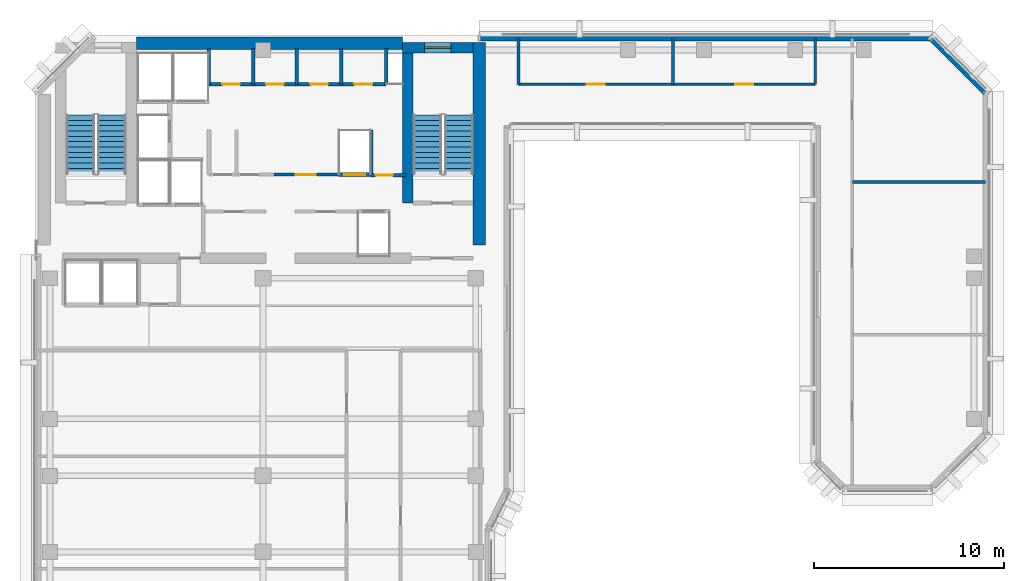
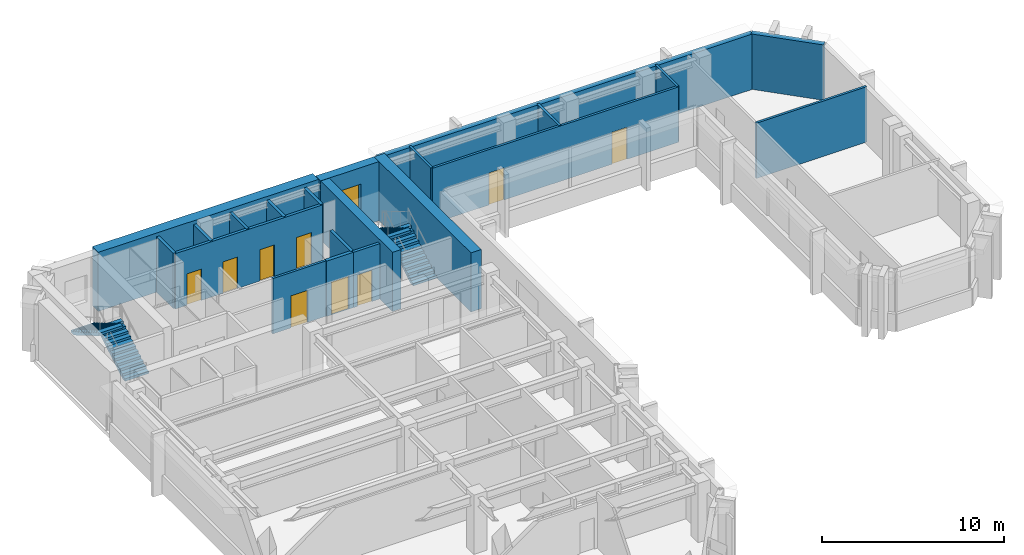
# One storey, part 7 of 11: 21 walls, 9 doors, 4 stair flights, 1 window, 10 openings, 2 elements without a shape of their own.
"""IFC4 building model written with IfcOpenShell, lengths in metres."""

import ifcopenshell
import ifcopenshell.guid

model = None  # the IFC model being written
_history = None  # IfcOwnerHistory: only IFC2X3 demands one
_inside = {}  # id of a spatial element -> (the spatial element, [elements in it])
_under = {}  # id of a project, library or spatial element -> (it, [spatial elements below it])
_declared = {}  # id of a project -> (the project, [libraries it declares])
_typed = {}  # id of a type object -> (the type object, [elements of that type])
_made_of = {}  # id of a material, layer set ... -> (it, [elements and type objects made of it])


def new_model(schema):
    """Start an empty IFC model of exactly this schema.

    Asked for "IFC4X3", IfcOpenShell would pick the latest addendum, in which some entities
    have other attributes; the version numbers below select the first issue.
    IFC2X3 requires an IfcOwnerHistory on every rooted entity: one is made here for all.
    """
    global model, _history
    if schema == "IFC4X3":
        model = ifcopenshell.file(schema_version=(4, 3, 0, 0))
    else:
        model = ifcopenshell.file(schema=schema)
    _inside.clear()
    _under.clear()
    _declared.clear()
    _typed.clear()
    _made_of.clear()
    _history = None
    if model.schema == "IFC2X3":
        org = make("IfcOrganization", Name="unknown")
        user = make(
            "IfcPersonAndOrganization",
            ThePerson=make("IfcPerson", FamilyName="unknown"),
            TheOrganization=org,
        )
        app = make(
            "IfcApplication",
            ApplicationDeveloper=org,
            Version="unknown",
            ApplicationFullName="unknown",
            ApplicationIdentifier="unknown",
        )
        _history = make(
            "IfcOwnerHistory",
            OwningUser=user,
            OwningApplication=app,
            ChangeAction="ADDED",
            CreationDate=0,
        )
    return model


def make(cls, **values):
    """One entity of the class cls with the attributes given. An attribute that is None is left unset."""
    return model.create_entity(
        cls, **{name: value for name, value in values.items() if value is not None}
    )


def rooted(cls, **values):
    """An entity with a GlobalId (a new one), such as an element, a storey or a relation."""
    return make(cls, GlobalId=ifcopenshell.guid.new(), OwnerHistory=_history, **values)


def si_unit(unit_type, name, prefix=None):
    """IfcSIUnit, for example si_unit("LENGTHUNIT", "METRE", prefix="MILLI")."""
    return make("IfcSIUnit", UnitType=unit_type, Prefix=prefix, Name=name)


def assignment(units):
    """IfcUnitAssignment: the units of a project."""
    return None if units is None else make("IfcUnitAssignment", Units=units)


def point(xyz):
    """IfcCartesianPoint."""
    return None if xyz is None else make("IfcCartesianPoint", Coordinates=xyz)


def direction(xyz):
    """IfcDirection."""
    return None if xyz is None else make("IfcDirection", DirectionRatios=xyz)


def frame(location, z_axis=None, x_axis=None):
    """IfcAxis2Placement3D, a coordinate frame: its origin and axes. An axis left out is left unset."""
    return make(
        "IfcAxis2Placement3D",
        Location=point(location),
        Axis=direction(z_axis),
        RefDirection=direction(x_axis),
    )


def frame_2d(location, x_axis=None):
    """IfcAxis2Placement2D, a coordinate frame in the plane: its origin and x axis."""
    return make(
        "IfcAxis2Placement2D", Location=point(location), RefDirection=direction(x_axis)
    )


def origin():
    """The frame at (0, 0, 0) with its axes left unset."""
    return frame((0.0, 0.0, 0.0))


def place(relative_to, where):
    """IfcLocalPlacement: puts the frame where relative to a parent placement (None: the world)."""
    return make(
        "IfcLocalPlacement", PlacementRelTo=relative_to, RelativePlacement=where
    )


def context(
    kind, dimensions, precision=None, world=None, true_north=None, identifier=None
):
    """IfcGeometricRepresentationContext, for example the 3D "Model" context."""
    return make(
        "IfcGeometricRepresentationContext",
        ContextIdentifier=identifier,
        ContextType=kind,
        CoordinateSpaceDimension=dimensions,
        Precision=precision,
        WorldCoordinateSystem=world,
        TrueNorth=true_north,
    )


def subcontext(parent, identifier, kind, view, scale=None):
    """IfcGeometricRepresentationSubContext, for example "Body" below "Model"."""
    return make(
        "IfcGeometricRepresentationSubContext",
        ContextIdentifier=identifier,
        ContextType=kind,
        ParentContext=parent,
        TargetScale=scale,
        TargetView=view,
    )


def project(units=None, contexts=None):
    """IfcProject with its units and contexts."""
    return rooted(
        "IfcProject",
        Name="project",
        RepresentationContexts=contexts,
        UnitsInContext=assignment(units),
    )


def spatial(cls, under=None, at=None, **own):
    """A site, building, storey or space (cls), placed at a placement, below another one or the project."""
    s = rooted(cls, ObjectPlacement=at, **own)
    if under is not None:
        _under.setdefault(under.id(), (under, []))[1].append(s)
    return s


def polyline(points):
    """IfcPolyline through the points."""
    return make("IfcPolyline", Points=[point(p) for p in points])


def profile(cls, at=None, kind="AREA", **sizes):
    """A parametric profile (cls). Its sizes go by their IFC names, for example OverallWidth=200.0."""
    return make(cls, ProfileType=kind, Position=at, **sizes)


def rectangle(**sizes):
    """IfcRectangleProfileDef."""
    return profile("IfcRectangleProfileDef", **sizes)


def outline(outer, holes=None, kind="AREA"):
    """IfcArbitraryClosedProfileDef: a profile drawn as a closed curve; with holes, ...WithVoids."""
    if holes is None:
        return make("IfcArbitraryClosedProfileDef", ProfileType=kind, OuterCurve=outer)
    return make(
        "IfcArbitraryProfileDefWithVoids",
        ProfileType=kind,
        OuterCurve=outer,
        InnerCurves=holes,
    )


def extrude(swept, where, along, depth):
    """IfcExtrudedAreaSolid: the profile swept, set in the frame where, extruded along a direction by depth."""
    return make(
        "IfcExtrudedAreaSolid",
        SweptArea=swept,
        Position=where,
        ExtrudedDirection=direction(along),
        Depth=depth,
    )


def shape(context_of_items, identifier, shape_type, items):
    """IfcShapeRepresentation: the items that make up one representation, for example the "Body"."""
    return make(
        "IfcShapeRepresentation",
        ContextOfItems=context_of_items,
        RepresentationIdentifier=identifier,
        RepresentationType=shape_type,
        Items=items,
    )


def material(Name=None, Category=None):
    """IfcMaterial."""
    return make("IfcMaterial", Name=Name, Category=Category)


def layer(
    of_material, thickness, ventilated=None, Name=None, Category=None, Priority=None
):
    """IfcMaterialLayer: one layer of a wall or slab, of a material (None: an air gap)."""
    return make(
        "IfcMaterialLayer",
        Material=of_material,
        LayerThickness=thickness,
        IsVentilated=ventilated,
        Name=Name,
        Category=Category,
        Priority=Priority,
    )


def layer_set(layers, Name=None):
    """IfcMaterialLayerSet."""
    return make("IfcMaterialLayerSet", MaterialLayers=layers, LayerSetName=Name)


def made_of(thing, what):
    """Note that an element or type object is made of a material, layer set ...; save() writes the relation."""
    if what is not None:
        _made_of.setdefault(what.id(), (what, []))[1].append(thing)
    return thing


def type_object(cls, material=None, **own):
    """A type object (cls), such as IfcWallType, which elements share."""
    return made_of(rooted(cls, **own), material)


def element(
    cls,
    number,
    at=None,
    inside=None,
    cuts=None,
    type_object=None,
    material=None,
    context=None,
    identifier="Body",
    shape_type=None,
    held_by="IfcProductDefinitionShape",
    body=None,
    shapes=None,
    **own,
):
    """One element of the class cls, such as IfcWall. Its Tag is "e" and its number.

    at: its placement. inside: the storey or other place that contains it. cuts: it is an
    opening in that element (IfcRelVoidsElement). A single representation is given by context,
    identifier, shape_type and body (its items); several are given by shapes. held_by: the class
    of the entity that holds the representations. save() writes the other relations.
    """
    e = rooted(cls, Tag="e%d" % number, ObjectPlacement=at, **own)
    if body is not None:
        shapes = [shape(context, identifier, shape_type, body)]
    if shapes is not None:
        e.Representation = make(held_by, Representations=shapes)
    if inside is not None:
        _inside.setdefault(inside.id(), (inside, []))[1].append(e)
    if cuts is not None:
        rooted(
            "IfcRelVoidsElement", RelatingBuildingElement=cuts, RelatedOpeningElement=e
        )
    if type_object is not None:
        _typed.setdefault(type_object.id(), (type_object, []))[1].append(e)
    return made_of(e, material)


def fill(opening, filler):
    """IfcRelFillsElement: the door or window that sits in an opening."""
    return rooted(
        "IfcRelFillsElement",
        RelatingOpeningElement=opening,
        RelatedBuildingElement=filler,
    )


def aggregate(whole, parts):
    """IfcRelAggregates: a whole, such as a stair, and the parts it consists of."""
    return rooted("IfcRelAggregates", RelatingObject=whole, RelatedObjects=parts)


def save(model, path):
    """Write the relations noted so far, then the file.

    IfcRelAggregates (storeys below a building ...), IfcRelContainedInSpatialStructure (elements
    in a storey), IfcRelDefinesByType, IfcRelAssociatesMaterial and IfcRelDeclares: one each for
    every whole, place, type object, material and project.
    """
    for whole, parts in _under.values():
        aggregate(whole, parts)
    for where, things in _inside.values():
        rooted(
            "IfcRelContainedInSpatialStructure",
            RelatedElements=things,
            RelatingStructure=where,
        )
    for kind, things in _typed.values():
        rooted("IfcRelDefinesByType", RelatedObjects=things, RelatingType=kind)
    for what, things in _made_of.values():
        rooted("IfcRelAssociatesMaterial", RelatedObjects=things, RelatingMaterial=what)
    for by, libraries in _declared.values():
        rooted("IfcRelDeclares", RelatingContext=by, RelatedDefinitions=libraries)
    model.write(path)


model = new_model("IFC4")

# Units and contexts
model_context = context("Model", 3, precision=1e-05, world=origin(), true_north=direction((0.0, 1.0)))
body_context = subcontext(model_context, "Body", "Model", "MODEL_VIEW")
ifc_project = project(units=[si_unit("LENGTHUNIT", "METRE"), si_unit("AREAUNIT", "SQUARE_METRE"), si_unit("VOLUMEUNIT", "CUBIC_METRE"), si_unit("PLANEANGLEUNIT", "RADIAN"), si_unit("MASSUNIT", "GRAM", prefix="KILO")], contexts=[model_context])

# Site, building, storey
site_placement = place(None, origin())
site = spatial("IfcSite", under=ifc_project, at=site_placement, CompositionType="ELEMENT")
building_placement = place(site_placement, origin())
building = spatial("IfcBuilding", under=site, at=building_placement, Name="Kefirva Bronze Tower", CompositionType="ELEMENT")
storey_placement = place(building_placement, frame((0.0, 0.0, 227.699951171875)))
storey = spatial("IfcBuildingStorey", under=building, at=storey_placement, Name="L55", CompositionType="ELEMENT", Elevation=227.699951171875)

# Wall, opening, door
ifc_material_1 = material(Name="Gypsum acoustic partition")
ifc_layer_1 = layer(ifc_material_1, 0.14990234375, Name="Gypsum acoustic partition")
ifc_layer_set_1 = layer_set([ifc_layer_1], Name="Gypsum acoustic partition")
wall_type_1 = type_object("IfcWallType", Name="Executive Suite Partition 150mm", PredefinedType="PARTITIONING", material=ifc_layer_set_1)
wall_1_placement = place(storey_placement, frame((12.580078125, 38.64990234375, 0.0), z_axis=(0.0, 0.0, 1.0), x_axis=(1.0, 0.0, 0.0)))
wall_1 = element("IfcWall", 1, at=wall_1_placement, inside=storey, type_object=wall_type_1, Name="L55 Partition W-L55-RECMP2", PredefinedType="PARTITIONING", context=body_context, shape_type="SweptSolid", body=[
    extrude(rectangle(XDim=3.3798828125, YDim=0.14990234375, at=frame_2d((1.68994140625, 0.0))), origin(), (0.0, 0.0, 1.0), 3.7099609375),
])
opening_1_placement = place(wall_1_placement, frame((2.199951171875, 0.0, 0.0), z_axis=(0.0, 0.0, 1.0), x_axis=(-1.0, 0.0, 0.0)))
opening_1 = element("IfcOpeningElement", 2, at=opening_1_placement, cuts=wall_1, Name="Opening L55-D-RECMP2", PredefinedType="OPENING", context=body_context, shape_type="SweptSolid", body=[
    extrude(rectangle(XDim=1.050048828125, YDim=2.14990234375, at=frame_2d((0.52490234375, 1.074951171875))), frame((0.0, 0.0849609375, 0.0), z_axis=(0.0, -1.0, 0.0), x_axis=(1.0, 0.0, 0.0)), (0.0, 0.0, 1.0), 0.169921875),
])
ifc_material_2 = material(Name="Acoustic hardwood oak", Category="wood")
door_type_1 = type_object("IfcDoorType", Name="Executive & Boardroom Door 1050x2150", OperationType="NOTDEFINED", PredefinedType="DOOR", material=ifc_material_2)
door_1_placement = place(opening_1_placement, origin())
door_1 = element("IfcDoor", 3, at=door_1_placement, inside=storey, type_object=door_type_1, Name="Door L55-D-RECMP2", OperationType="SINGLE_SWING_LEFT", OverallHeight=2.14990234375, OverallWidth=1.050048828125, PredefinedType="DOOR", context=body_context, shape_type="SweptSolid", body=[
    extrude(rectangle(XDim=1.050048828125, YDim=2.14990234375, at=frame_2d((0.52490234375, 1.074951171875))), frame((0.0, 0.02490234375, 0.0), z_axis=(0.0, -1.0, 0.0), x_axis=(1.0, 0.0, 0.0)), (0.0, 0.0, 1.0), 0.050048828125),
])
fill(opening_1, door_1)

# Wall, openings, doors
wall_2_placement = place(storey_placement, frame((25.449951171875, 43.39990234375, 0.0), z_axis=(0.0, 0.0, 1.0), x_axis=(1.0, 0.0, 0.0)))
wall_2 = element("IfcWall", 4, at=wall_2_placement, inside=storey, type_object=wall_type_1, Name="L55 Partition W-L55-PBRGN", PredefinedType="PARTITIONING", context=body_context, shape_type="SweptSolid", body=[
    extrude(rectangle(XDim=15.60009765625, YDim=0.14990234375, at=frame_2d((7.800048828125, 0.0))), origin(), (0.0, 0.0, 1.0), 3.7099609375),
])
opening_2_placement = place(wall_2_placement, frame((3.5810546875, 0.0, 0.0)))
opening_2 = element("IfcOpeningElement", 5, at=opening_2_placement, cuts=wall_2, Name="Opening L55-D-PBN1", PredefinedType="OPENING", context=body_context, shape_type="SweptSolid", body=[
    extrude(rectangle(XDim=0.949951171875, YDim=2.14990234375, at=frame_2d((0.47509765625, 1.074951171875))), frame((0.0, 0.0849609375, 0.0), z_axis=(0.0, -1.0, 0.0), x_axis=(1.0, 0.0, 0.0)), (0.0, 0.0, 1.0), 0.169921875),
])
opening_3_placement = place(wall_2_placement, frame((11.381103515625, 0.0, 0.0)))
opening_3 = element("IfcOpeningElement", 6, at=opening_3_placement, cuts=wall_2, Name="Opening L55-D-PBN2", PredefinedType="OPENING", context=body_context, shape_type="SweptSolid", body=[
    extrude(rectangle(XDim=0.949951171875, YDim=2.14990234375, at=frame_2d((0.47509765625, 1.074951171875))), frame((0.0, 0.0849609375, 0.0), z_axis=(0.0, -1.0, 0.0), x_axis=(1.0, 0.0, 0.0)), (0.0, 0.0, 1.0), 0.169921875),
])
door_type_2 = type_object("IfcDoorType", Name="Office & Meeting Room Door 950x2150", OperationType="NOTDEFINED", PredefinedType="DOOR", material=ifc_material_2)
door_2_placement = place(opening_2_placement, origin())
door_2 = element("IfcDoor", 7, at=door_2_placement, inside=storey, type_object=door_type_2, Name="Door L55-D-PBN1", OperationType="SINGLE_SWING_RIGHT", OverallHeight=2.14990234375, OverallWidth=0.949951171875, PredefinedType="DOOR", context=body_context, shape_type="SweptSolid", body=[
    extrude(rectangle(XDim=0.949951171875, YDim=2.14990234375, at=frame_2d((0.47509765625, 1.074951171875))), frame((0.0, 0.02490234375, 0.0), z_axis=(0.0, -1.0, 0.0), x_axis=(1.0, 0.0, 0.0)), (0.0, 0.0, 1.0), 0.050048828125),
])
fill(opening_2, door_2)
door_3_placement = place(opening_3_placement, origin())
door_3 = element("IfcDoor", 8, at=door_3_placement, inside=storey, type_object=door_type_2, Name="Door L55-D-PBN2", OperationType="SINGLE_SWING_LEFT", OverallHeight=2.14990234375, OverallWidth=0.949951171875, PredefinedType="DOOR", context=body_context, shape_type="SweptSolid", body=[
    extrude(rectangle(XDim=0.949951171875, YDim=2.14990234375, at=frame_2d((0.47509765625, 1.074951171875))), frame((0.0, 0.02490234375, 0.0), z_axis=(0.0, -1.0, 0.0), x_axis=(1.0, 0.0, 0.0)), (0.0, 0.0, 1.0), 0.050048828125),
])
fill(opening_3, door_3)

# Walls
for number, where, z_axis, x_axis, name in (
    (9, (25.449951171875, 43.39990234375, 0.0), (0.0, 0.0, 1.0), (0.0, 1.0, 0.0), "L55 Partition W-L55-PBRGW"),
    (10, (41.050048828125, 43.39990234375, 0.0), (0.0, 0.0, 1.0), (0.0, 1.0, 0.0), "L55 Partition W-L55-PBRGE"),
    (11, (33.56201171875, 43.39990234375, 0.0), (0.0, 0.0, 1.0), (0.0, 1.0, 0.0), "L55 Partition W-L55-PBND1"),
):
    element("IfcWall", number, at=place(storey_placement, frame(where, z_axis=z_axis, x_axis=x_axis)), inside=storey, type_object=wall_type_1, Name=name, PredefinedType="PARTITIONING", context=body_context, shape_type="SweptSolid", body=[
        extrude(rectangle(XDim=2.41015625, YDim=0.14990234375, at=frame_2d((1.205078125, 0.0))), origin(), (0.0, 0.0, 1.0), 3.7099609375),
    ])
wall_3_placement = place(storey_placement, frame((43.0, 38.251708984375, 0.0), z_axis=(0.0, 0.0, 1.0), x_axis=(1.0, 0.0, 0.0)))
element("IfcWall", 12, at=wall_3_placement, inside=storey, type_object=wall_type_1, Name="L55 Partition W-L55-EPVD2", PredefinedType="PARTITIONING", context=body_context, shape_type="SweptSolid", body=[
    extrude(rectangle(XDim=7.010009765625, YDim=0.14990234375, at=frame_2d((3.5048828125, 0.0))), origin(), (0.0, 0.0, 1.0), 3.7099609375),
])
ifc_material_3 = material(Name="Gypsum fireboard shaftwall")
ifc_layer_2 = layer(ifc_material_3, 0.219970703125, Name="Gypsum fireboard shaftwall")
ifc_layer_set_2 = layer_set([ifc_layer_2], Name="Gypsum fireboard shaftwall")
wall_type_2 = type_object("IfcWallType", Name="Fire-Rated Shaft Enclosure Wall 220mm", PredefinedType="PARTITIONING", material=ifc_layer_set_2)
wall_4_placement = place(storey_placement, frame((17.679931640625, 38.64990234375, 0.0), z_axis=(0.0, 0.0, 1.0), x_axis=(0.0, 1.0, 0.0)))
element("IfcWall", 13, at=wall_4_placement, inside=storey, type_object=wall_type_2, Name="L55 Partition W-L55-HP2E", PredefinedType="PARTITIONING", context=body_context, shape_type="SweptSolid", body=[
    extrude(rectangle(XDim=2.35009765625, YDim=0.199951171875, at=frame_2d((1.175048828125, 0.0))), origin(), (0.0, 0.0, 1.0), 3.7099609375),
])

# Wall, opening, door
wall_5_placement = place(storey_placement, frame((15.97998046875, 38.64990234375, 0.0), z_axis=(0.0, 0.0, 1.0), x_axis=(1.0, 0.0, 0.0)))
wall_5 = element("IfcWall", 14, at=wall_5_placement, inside=storey, type_object=wall_type_2, Name="L55 Partition W-L55-HPN", PredefinedType="PARTITIONING", context=body_context, shape_type="SweptSolid", body=[
    extrude(rectangle(XDim=1.719970703125, YDim=0.219970703125, at=frame_2d((0.85986328125, 0.0))), origin(), (0.0, 0.0, 1.0), 3.7099609375),
])
opening_4_placement = place(wall_5_placement, frame((0.300048828125, 0.0, 0.0)))
opening_4 = element("IfcOpeningElement", 15, at=opening_4_placement, cuts=wall_5, Name="Opening L55-LD-HP2", PredefinedType="OPENING", context=body_context, shape_type="SweptSolid", body=[
    extrude(rectangle(XDim=1.10009765625, YDim=2.199951171875, at=frame_2d((0.550048828125, 1.10009765625))), frame((0.0, 0.1201171875, 0.0), z_axis=(0.0, -1.0, 0.0), x_axis=(1.0, 0.0, 0.0)), (0.0, 0.0, 1.0), 0.239990234375),
])
ifc_material_4 = material(Name="Stainless steel 316", Category="steel")
door_type_3 = type_object("IfcDoorType", Name="Passenger Lift Sliding Landing Door 1100x2200", OperationType="SLIDING_TO_LEFT", PredefinedType="DOOR", material=ifc_material_4)
door_4_placement = place(opening_4_placement, origin())
door_4 = element("IfcDoor", 16, at=door_4_placement, inside=storey, type_object=door_type_3, Name="Door L55-LD-HP2", OperationType="SLIDING_TO_LEFT", OverallHeight=2.199951171875, OverallWidth=1.10009765625, PredefinedType="DOOR", context=body_context, shape_type="SweptSolid", body=[
    extrude(rectangle(XDim=1.10009765625, YDim=2.199951171875, at=frame_2d((0.550048828125, 1.10009765625))), frame((0.0, 0.02490234375, 0.0), z_axis=(0.0, -1.0, 0.0), x_axis=(1.0, 0.0, 0.0)), (0.0, 0.0, 1.0), 0.050048828125),
])
fill(opening_4, door_4)

ifc_material_5 = material(Name="Gypsum fireboard barrier")
ifc_layer_3 = layer(ifc_material_5, 0.199951171875, Name="Gypsum fireboard barrier")
ifc_layer_set_3 = layer_set([ifc_layer_3], Name="Gypsum fireboard barrier")
wall_type_3 = type_object("IfcWallType", Name="Firefighting Lobby Barrier Wall 200mm", PredefinedType="PARTITIONING", material=ifc_layer_set_3)
wall_6_placement = place(storey_placement, frame((17.679931640625, 38.6201171875, 0.0), z_axis=(0.0, 0.0, 1.0), x_axis=(1.0, 0.0, 0.0)))
wall_6 = element("IfcWall", 17, at=wall_6_placement, inside=storey, type_object=wall_type_3, Name="L55 Partition W-L55-CPASS", PredefinedType="PARTITIONING", context=body_context, shape_type="SweptSolid", body=[
    extrude(rectangle(XDim=1.840087890625, YDim=0.179931640625, at=frame_2d((0.919921875, 0.0))), origin(), (0.0, 0.0, 1.0), 3.7099609375),
])
opening_5_placement = place(wall_6_placement, frame((0.239990234375, 0.0, 0.0)))
opening_5 = element("IfcOpeningElement", 18, at=opening_5_placement, cuts=wall_6, Name="Opening L55-D-CPAS", PredefinedType="OPENING", context=body_context, shape_type="SweptSolid", body=[
    extrude(rectangle(XDim=0.919921875, YDim=2.10009765625, at=frame_2d((0.4599609375, 1.050048828125))), frame((0.0, 0.10009765625, 0.0), z_axis=(0.0, -1.0, 0.0), x_axis=(1.0, 0.0, 0.0)), (0.0, 0.0, 1.0), 0.199951171875),
])
ifc_material_6 = material(Name="Moisture-resistant timber", Category="wood")
door_type_4 = type_object("IfcDoorType", Name="Accessible Sanitary & WC Door 920x2100", OperationType="NOTDEFINED", PredefinedType="DOOR", material=ifc_material_6)
door_5_placement = place(opening_5_placement, origin())
door_5 = element("IfcDoor", 19, at=door_5_placement, inside=storey, type_object=door_type_4, Name="Door L55-D-CPAS", OperationType="SINGLE_SWING_LEFT", OverallHeight=2.10009765625, OverallWidth=0.919921875, PredefinedType="DOOR", context=body_context, shape_type="SweptSolid", body=[
    extrude(rectangle(XDim=0.919921875, YDim=2.10009765625, at=frame_2d((0.4599609375, 1.050048828125))), frame((0.0, 0.02490234375, 0.0), z_axis=(0.0, -1.0, 0.0), x_axis=(1.0, 0.0, 0.0)), (0.0, 0.0, 1.0), 0.050048828125),
])
fill(opening_5, door_5)

# Walls
ifc_material_7 = material(Name="Precast concrete C40/50", Category="concrete")
ifc_layer_4 = layer(ifc_material_7, 0.320068359375, Name="Precast concrete C40/50")
ifc_layer_set_4 = layer_set([ifc_layer_4], Name="Precast concrete C40/50")
wall_type_4 = type_object("IfcWallType", Name="Precast Insulated Exterior Wall 320mm", PredefinedType="SOLIDWALL", material=ifc_layer_set_4)
wall_7_placement = place(storey_placement, frame((50.048095703125, 42.92578125, 0.0), z_axis=(0.0, 0.0, 1.0), x_axis=(-0.707136318428, 0.707077242712, 0.0)))
element("IfcWall", 20, at=wall_7_placement, inside=storey, type_object=wall_type_4, Name="L55 Exterior Facade Wall 10", PredefinedType="SOLIDWALL", context=body_context, shape_type="SweptSolid", body=[
    extrude(rectangle(XDim=4.132568359375, YDim=0.320068359375, at=frame_2d((2.06640625, 0.0))), origin(), (0.0, 0.0, 1.0), 3.7099609375),
])
wall_8_placement = place(storey_placement, frame((47.14501953125, 45.840087890625, 0.0), z_axis=(0.0, 0.0, 1.0), x_axis=(-1.0, 0.0, 0.0)))
element("IfcWall", 21, at=wall_8_placement, inside=storey, type_object=wall_type_4, Name="L55 Exterior Facade Wall 11", PredefinedType="SOLIDWALL", context=body_context, shape_type="SweptSolid", body=[
    extrude(rectangle(XDim=23.739990234375, YDim=0.320068359375, at=frame_2d((11.8701171875, 0.0))), origin(), (0.0, 0.0, 1.0), 3.7099609375),
])

# Wall, opening, window
ifc_material_8 = material(Name="Concrete C50/60", Category="concrete")
ifc_layer_5 = layer(ifc_material_8, 0.550048828125, Name="Concrete C50/60")
ifc_layer_set_5 = layer_set([ifc_layer_5], Name="Concrete C50/60")
wall_type_5 = type_object("IfcWallType", Name="RC Rear Core Exterior Wall 550mm", PredefinedType="SHEAR", material=ifc_layer_set_5)
wall_9_placement = place(storey_placement, frame((19.35009765625, 45.320068359375, 0.0), z_axis=(0.0, 0.0, 1.0), x_axis=(1.0, 0.0, 0.0)))
wall_9 = element("IfcWall", 22, at=wall_9_placement, inside=storey, type_object=wall_type_5, Name="L55 Stair 2 North Shear Wall", PredefinedType="SHEAR", context=body_context, shape_type="SweptSolid", body=[
    extrude(rectangle(XDim=3.68994140625, YDim=0.550048828125, at=frame_2d((1.844970703125, 0.0))), origin(), (0.0, 0.0, 1.0), 3.9599609375),
])
opening_6_placement = place(wall_9_placement, frame((1.14990234375, 0.0, 1.050048828125)))
opening_6 = element("IfcOpeningElement", 23, at=opening_6_placement, cuts=wall_9, Name="Opening WN-03", PredefinedType="OPENING", context=body_context, shape_type="SweptSolid", body=[
    extrude(rectangle(XDim=1.39990234375, YDim=1.800048828125, at=frame_2d((0.699951171875, 0.89990234375))), frame((0.0, 0.28515625, 0.0), z_axis=(0.0, -1.0, 0.0), x_axis=(1.0, 0.0, 0.0)), (0.0, 0.0, 1.0), 0.570068359375),
])
ifc_material_9 = material(Name="Laminated low-E double glazing", Category="glass")
window_type = type_object("IfcWindowType", Name="Rear-Core Stair Daylight Window 1400x1800", PartitioningType="SINGLE_PANEL", PredefinedType="WINDOW", material=ifc_material_9)
window_placement = place(opening_6_placement, origin())
window = element("IfcWindow", 24, at=window_placement, inside=storey, type_object=window_type, Name="L55 Stair 2 Daylight Window", OverallHeight=1.800048828125, OverallWidth=1.39990234375, PartitioningType="SINGLE_PANEL", PredefinedType="WINDOW", context=body_context, shape_type="SweptSolid", body=[
    extrude(rectangle(XDim=1.39990234375, YDim=1.800048828125, at=frame_2d((0.699951171875, 0.89990234375))), frame((0.0, 0.030029296875, 0.0), z_axis=(0.0, -1.0, 0.0), x_axis=(1.0, 0.0, 0.0)), (0.0, 0.0, 1.0), 0.06005859375),
])
fill(opening_6, window)

# Walls
ifc_layer_6 = layer(ifc_material_8, 0.64990234375, Name="Concrete C50/60")
ifc_layer_set_6 = layer_set([ifc_layer_6], Name="Concrete C50/60")
wall_type_6 = type_object("IfcWallType", Name="RC Rear Core Exterior Wall 650mm", PredefinedType="SHEAR", material=ifc_layer_set_6)
wall_10_placement = place(storey_placement, frame((5.360107421875, 45.550048828125, 0.0), z_axis=(0.0, 0.0, 1.0), x_axis=(1.0, 0.0, 0.0)))
element("IfcWall", 25, at=wall_10_placement, inside=storey, type_object=wall_type_6, Name="L55 Rear Core North Shear Wall", PredefinedType="SHEAR", context=body_context, shape_type="SweptSolid", body=[
    extrude(rectangle(XDim=13.97998046875, YDim=0.64990234375, at=frame_2d((6.989990234375, 0.0))), origin(), (0.0, 0.0, 1.0), 3.9599609375),
])
ifc_layer_7 = layer(ifc_material_8, 0.550048828125, Name="Concrete C50/60")
ifc_layer_set_7 = layer_set([ifc_layer_7], Name="Concrete C50/60")
wall_type_7 = type_object("IfcWallType", Name="RC Rear Core Interior Wall 550mm", PredefinedType="SHEAR", material=ifc_layer_set_7)
wall_11_placement = place(storey_placement, frame((19.6201171875, 37.14990234375, 0.0), z_axis=(0.0, 0.0, 1.0), x_axis=(0.0, 1.0, 0.0)))
element("IfcWall", 26, at=wall_11_placement, inside=storey, type_object=wall_type_7, Name="L55 Stair 2 West Shear Wall", PredefinedType="SHEAR", context=body_context, shape_type="SweptSolid", body=[
    extrude(rectangle(XDim=7.89013671875, YDim=0.550048828125, at=frame_2d((3.945068359375, 0.0))), origin(), (0.0, 0.0, 1.0), 3.9599609375),
])
ifc_layer_8 = layer(ifc_material_8, 0.64990234375, Name="Concrete C50/60")
ifc_layer_set_8 = layer_set([ifc_layer_8], Name="Concrete C50/60")
wall_type_8 = type_object("IfcWallType", Name="RC Rear Core Interior Wall 650mm", PredefinedType="SHEAR", material=ifc_layer_set_8)
wall_12_placement = place(storey_placement, frame((23.375, 34.949951171875, 0.0), z_axis=(0.0, 0.0, 1.0), x_axis=(0.0, 1.0, 0.0)))
element("IfcWall", 27, at=wall_12_placement, inside=storey, type_object=wall_type_8, Name="L55 Rear Core East Shear Wall", PredefinedType="SHEAR", context=body_context, shape_type="SweptSolid", body=[
    extrude(rectangle(XDim=10.64013671875, YDim=0.64990234375, at=frame_2d((5.320068359375, 0.0))), origin(), (0.0, 0.0, 1.0), 3.9599609375),
])

# Wall, openings, doors
ifc_material_10 = material(Name="Moisture-resistant partition")
ifc_layer_9 = layer(ifc_material_10, 0.179931640625, Name="Moisture-resistant partition")
ifc_layer_set_9 = layer_set([ifc_layer_9], Name="Moisture-resistant partition")
wall_type_9 = type_object("IfcWallType", Name="Sanitary Plumbing Chase Wall 180mm", PredefinedType="PLUMBINGWALL", material=ifc_layer_set_9)
wall_13_placement = place(storey_placement, frame((9.14990234375, 43.39990234375, 0.0), z_axis=(0.0, 0.0, 1.0), x_axis=(1.0, 0.0, 0.0)))
wall_13 = element("IfcWall", 28, at=wall_13_placement, inside=storey, type_object=wall_type_9, Name="L55 Partition W-L55-SVCS", PredefinedType="PLUMBINGWALL", context=body_context, shape_type="SweptSolid", body=[
    extrude(rectangle(XDim=9.330078125, YDim=0.179931640625, at=frame_2d((4.6650390625, 0.0))), origin(), (0.0, 0.0, 1.0), 3.7099609375),
])
opening_7_placement = place(wall_13_placement, frame((0.719970703125, 0.0, 0.0)))
opening_7 = element("IfcOpeningElement", 29, at=opening_7_placement, cuts=wall_13, Name="Opening L55-D-CSVC1", PredefinedType="OPENING", context=body_context, shape_type="SweptSolid", body=[
    extrude(rectangle(XDim=0.919921875, YDim=2.10009765625, at=frame_2d((0.4599609375, 1.050048828125))), frame((0.0, 0.10009765625, 0.0), z_axis=(0.0, -1.0, 0.0), x_axis=(1.0, 0.0, 0.0)), (0.0, 0.0, 1.0), 0.199951171875),
])
opening_8_placement = place(wall_13_placement, frame((3.02001953125, 0.0, 0.0)))
opening_8 = element("IfcOpeningElement", 30, at=opening_8_placement, cuts=wall_13, Name="Opening L55-D-CSVC2", PredefinedType="OPENING", context=body_context, shape_type="SweptSolid", body=[
    extrude(rectangle(XDim=0.919921875, YDim=2.10009765625, at=frame_2d((0.4599609375, 1.050048828125))), frame((0.0, 0.10009765625, 0.0), z_axis=(0.0, -1.0, 0.0), x_axis=(1.0, 0.0, 0.0)), (0.0, 0.0, 1.0), 0.199951171875),
])
opening_9_placement = place(wall_13_placement, frame((5.340087890625, 0.0, 0.0)))
opening_9 = element("IfcOpeningElement", 31, at=opening_9_placement, cuts=wall_13, Name="Opening L55-D-CSVC3", PredefinedType="OPENING", context=body_context, shape_type="SweptSolid", body=[
    extrude(rectangle(XDim=0.919921875, YDim=2.10009765625, at=frame_2d((0.4599609375, 1.050048828125))), frame((0.0, 0.10009765625, 0.0), z_axis=(0.0, -1.0, 0.0), x_axis=(1.0, 0.0, 0.0)), (0.0, 0.0, 1.0), 0.199951171875),
])
opening_10_placement = place(wall_13_placement, frame((7.659912109375, 0.0, 0.0)))
opening_10 = element("IfcOpeningElement", 32, at=opening_10_placement, cuts=wall_13, Name="Opening L55-D-CSVC4", PredefinedType="OPENING", context=body_context, shape_type="SweptSolid", body=[
    extrude(rectangle(XDim=0.949951171875, YDim=2.10009765625, at=frame_2d((0.47509765625, 1.050048828125))), frame((0.0, 0.10009765625, 0.0), z_axis=(0.0, -1.0, 0.0), x_axis=(1.0, 0.0, 0.0)), (0.0, 0.0, 1.0), 0.199951171875),
])
door_6_placement = place(opening_7_placement, origin())
door_6 = element("IfcDoor", 33, at=door_6_placement, inside=storey, type_object=door_type_4, Name="Door L55-D-CSVC1", OperationType="SINGLE_SWING_RIGHT", OverallHeight=2.10009765625, OverallWidth=0.919921875, PredefinedType="DOOR", context=body_context, shape_type="SweptSolid", body=[
    extrude(rectangle(XDim=0.919921875, YDim=2.10009765625, at=frame_2d((0.4599609375, 1.050048828125))), frame((0.0, 0.02490234375, 0.0), z_axis=(0.0, -1.0, 0.0), x_axis=(1.0, 0.0, 0.0)), (0.0, 0.0, 1.0), 0.050048828125),
])
fill(opening_7, door_6)
door_7_placement = place(opening_8_placement, origin())
door_7 = element("IfcDoor", 34, at=door_7_placement, inside=storey, type_object=door_type_4, Name="Door L55-D-CSVC2", OperationType="SINGLE_SWING_LEFT", OverallHeight=2.10009765625, OverallWidth=0.919921875, PredefinedType="DOOR", context=body_context, shape_type="SweptSolid", body=[
    extrude(rectangle(XDim=0.919921875, YDim=2.10009765625, at=frame_2d((0.4599609375, 1.050048828125))), frame((0.0, 0.02490234375, 0.0), z_axis=(0.0, -1.0, 0.0), x_axis=(1.0, 0.0, 0.0)), (0.0, 0.0, 1.0), 0.050048828125),
])
fill(opening_8, door_7)
door_8_placement = place(opening_9_placement, origin())
door_8 = element("IfcDoor", 35, at=door_8_placement, inside=storey, type_object=door_type_4, Name="Door L55-D-CSVC3", OperationType="SINGLE_SWING_RIGHT", OverallHeight=2.10009765625, OverallWidth=0.919921875, PredefinedType="DOOR", context=body_context, shape_type="SweptSolid", body=[
    extrude(rectangle(XDim=0.919921875, YDim=2.10009765625, at=frame_2d((0.4599609375, 1.050048828125))), frame((0.0, 0.02490234375, 0.0), z_axis=(0.0, -1.0, 0.0), x_axis=(1.0, 0.0, 0.0)), (0.0, 0.0, 1.0), 0.050048828125),
])
fill(opening_9, door_8)
ifc_material_11 = material(Name="Painted galvanized steel", Category="steel")
door_type_5 = type_object("IfcDoorType", Name="Riser & Plant Shaft Fire Door 950x2100 FD60S", OperationType="NOTDEFINED", PredefinedType="DOOR", material=ifc_material_11)
door_9_placement = place(opening_10_placement, origin())
door_9 = element("IfcDoor", 36, at=door_9_placement, inside=storey, type_object=door_type_5, Name="Door L55-D-CSVC4", OperationType="SINGLE_SWING_LEFT", OverallHeight=2.10009765625, OverallWidth=0.949951171875, PredefinedType="DOOR", context=body_context, shape_type="SweptSolid", body=[
    extrude(rectangle(XDim=0.949951171875, YDim=2.10009765625, at=frame_2d((0.47509765625, 1.050048828125))), frame((0.0, 0.02490234375, 0.0), z_axis=(0.0, -1.0, 0.0), x_axis=(1.0, 0.0, 0.0)), (0.0, 0.0, 1.0), 0.050048828125),
])
fill(opening_10, door_9)

# Walls
for number, where, z_axis, x_axis, name in (
    (37, (9.14990234375, 43.39990234375, 0.0), (0.0, 0.0, 1.0), (0.0, 1.0, 0.0), "L55 Partition W-L55-SVCW"),
    (38, (18.47998046875, 43.39990234375, 0.0), (0.0, 0.0, 1.0), (0.0, 1.0, 0.0), "L55 Partition W-L55-SVCE"),
    (39, (11.47998046875, 43.39990234375, 0.0), (0.0, 0.0, 1.0), (0.0, 1.0, 0.0), "L55 Partition W-L55-CSVD-1"),
    (40, (13.780029296875, 43.39990234375, 0.0), (0.0, 0.0, 1.0), (0.0, 1.0, 0.0), "L55 Partition W-L55-CSVD-2"),
    (41, (16.1201171875, 43.39990234375, 0.0), (0.0, 0.0, 1.0), (0.0, 1.0, 0.0), "L55 Partition W-L55-CSVD-3"),
):
    element("IfcWall", number, at=place(storey_placement, frame(where, z_axis=z_axis, x_axis=x_axis)), inside=storey, type_object=wall_type_9, Name=name, PredefinedType="PLUMBINGWALL", context=body_context, shape_type="SweptSolid", body=[
        extrude(rectangle(XDim=1.880126953125, YDim=0.179931640625, at=frame_2d((0.93994140625, 0.0))), origin(), (0.0, 0.0, 1.0), 3.7099609375),
    ])

# Stair, stair flights
ifc_material_12 = material(Name="Concrete C40/50", Category="concrete")
stair_type = type_object("IfcStairType", Name="RC Dogleg Protected Stair 24R", PredefinedType="HALF_TURN_STAIR", material=ifc_material_12)
stair_1_placement = place(storey_placement, origin())
stair_1 = element("IfcStair", 42, at=stair_1_placement, inside=storey, type_object=stair_type, Name="L55 Protected Exit Stair 1", PredefinedType="HALF_TURN_STAIR")
stair_flight_type = type_object("IfcStairFlightType", Name="RC Straight Stair Flight 24R", PredefinedType="STRAIGHT", material=ifc_material_12)
stair_flight_1_placement = place(storey_placement, frame((4.050048828125, 38.699951171875, 0.0), z_axis=(0.0, 0.0, 1.0), x_axis=(0.0, 1.0, 0.0)))
stair_flight_1 = element("IfcStairFlight", 43, at=stair_flight_1_placement, type_object=stair_flight_type, Name="ST-1 flight 1", NumberOfRisers=12, NumberOfTreads=11, PredefinedType="STRAIGHT", RiserHeight=0.165, TreadLength=0.28, context=body_context, shape_type="SweptSolid", body=[
    extrude(outline(polyline([(0.0, 0.0), (0.0, 0.1650390625), (0.280029296875, 0.1650390625), (0.280029296875, 0.330078125), (0.56005859375, 0.330078125), (0.56005859375, 0.4951171875), (0.840087890625, 0.4951171875), (0.840087890625, 0.659912109375), (1.1201171875, 0.659912109375), (1.1201171875, 0.824951171875), (1.39990234375, 0.824951171875), (1.39990234375, 0.989990234375), (1.679931640625, 0.989990234375), (1.679931640625, 1.155029296875), (1.9599609375, 1.155029296875), (1.9599609375, 1.320068359375), (2.239990234375, 1.320068359375), (2.239990234375, 1.485107421875), (2.52001953125, 1.485107421875), (2.52001953125, 1.64990234375), (2.800048828125, 1.64990234375), (2.800048828125, 1.81494140625), (3.080078125, 1.81494140625), (3.080078125, 1.97998046875), (3.080078125, 1.64111328125), (0.295166015625, 0.0), (0.0, 0.0)])), frame((0.0, 0.75, 0.0), z_axis=(0.0, -1.0, 0.0), x_axis=(1.0, 0.0, 0.0)), (0.0, 0.0, 1.0), 1.5),
])
stair_flight_2_placement = place(storey_placement, frame((2.39990234375, 41.780029296875, 1.97998046875), z_axis=(0.0, 0.0, 1.0), x_axis=(0.0, -1.0, 0.0)))
stair_flight_2 = element("IfcStairFlight", 44, at=stair_flight_2_placement, type_object=stair_flight_type, Name="ST-1 flight 2", NumberOfRisers=12, NumberOfTreads=11, PredefinedType="STRAIGHT", RiserHeight=0.165, TreadLength=0.28, context=body_context, shape_type="SweptSolid", body=[
    extrude(outline(polyline([(0.0, 0.0), (0.0, 0.1650390625), (0.280029296875, 0.1650390625), (0.280029296875, 0.330078125), (0.56005859375, 0.330078125), (0.56005859375, 0.4951171875), (0.840087890625, 0.4951171875), (0.840087890625, 0.659912109375), (1.1201171875, 0.659912109375), (1.1201171875, 0.824951171875), (1.39990234375, 0.824951171875), (1.39990234375, 0.989990234375), (1.679931640625, 0.989990234375), (1.679931640625, 1.155029296875), (1.9599609375, 1.155029296875), (1.9599609375, 1.320068359375), (2.239990234375, 1.320068359375), (2.239990234375, 1.485107421875), (2.52001953125, 1.485107421875), (2.52001953125, 1.64990234375), (2.800048828125, 1.64990234375), (2.800048828125, 1.81494140625), (3.080078125, 1.81494140625), (3.080078125, 1.97998046875), (3.080078125, 1.64111328125), (0.295166015625, 0.0), (0.0, 0.0)])), frame((0.0, 0.75, 0.0), z_axis=(0.0, -1.0, 0.0), x_axis=(1.0, 0.0, 0.0)), (0.0, 0.0, 1.0), 1.5),
])
aggregate(stair_1, [stair_flight_1, stair_flight_2])

stair_2_placement = place(storey_placement, origin())
stair_2 = element("IfcStair", 45, at=stair_2_placement, inside=storey, type_object=stair_type, Name="L55 Protected Exit Stair 2", PredefinedType="HALF_TURN_STAIR")
stair_flight_3_placement = place(storey_placement, frame((22.300048828125, 38.699951171875, 0.0), z_axis=(0.0, 0.0, 1.0), x_axis=(0.0, 1.0, 0.0)))
stair_flight_3 = element("IfcStairFlight", 46, at=stair_flight_3_placement, type_object=stair_flight_type, Name="ST-2 flight 1", NumberOfRisers=12, NumberOfTreads=11, PredefinedType="STRAIGHT", RiserHeight=0.165, TreadLength=0.28, context=body_context, shape_type="SweptSolid", body=[
    extrude(outline(polyline([(0.0, 0.0), (0.0, 0.1650390625), (0.280029296875, 0.1650390625), (0.280029296875, 0.330078125), (0.56005859375, 0.330078125), (0.56005859375, 0.4951171875), (0.840087890625, 0.4951171875), (0.840087890625, 0.659912109375), (1.1201171875, 0.659912109375), (1.1201171875, 0.824951171875), (1.39990234375, 0.824951171875), (1.39990234375, 0.989990234375), (1.679931640625, 0.989990234375), (1.679931640625, 1.155029296875), (1.9599609375, 1.155029296875), (1.9599609375, 1.320068359375), (2.239990234375, 1.320068359375), (2.239990234375, 1.485107421875), (2.52001953125, 1.485107421875), (2.52001953125, 1.64990234375), (2.800048828125, 1.64990234375), (2.800048828125, 1.81494140625), (3.080078125, 1.81494140625), (3.080078125, 1.97998046875), (3.080078125, 1.64111328125), (0.295166015625, 0.0), (0.0, 0.0)])), frame((0.0, 0.75, 0.0), z_axis=(0.0, -1.0, 0.0), x_axis=(1.0, 0.0, 0.0)), (0.0, 0.0, 1.0), 1.5),
])
stair_flight_4_placement = place(storey_placement, frame((20.64990234375, 41.780029296875, 1.97998046875), z_axis=(0.0, 0.0, 1.0), x_axis=(0.0, -1.0, 0.0)))
stair_flight_4 = element("IfcStairFlight", 47, at=stair_flight_4_placement, type_object=stair_flight_type, Name="ST-2 flight 2", NumberOfRisers=12, NumberOfTreads=11, PredefinedType="STRAIGHT", RiserHeight=0.165, TreadLength=0.28, context=body_context, shape_type="SweptSolid", body=[
    extrude(outline(polyline([(0.0, 0.0), (0.0, 0.1650390625), (0.280029296875, 0.1650390625), (0.280029296875, 0.330078125), (0.56005859375, 0.330078125), (0.56005859375, 0.4951171875), (0.840087890625, 0.4951171875), (0.840087890625, 0.659912109375), (1.1201171875, 0.659912109375), (1.1201171875, 0.824951171875), (1.39990234375, 0.824951171875), (1.39990234375, 0.989990234375), (1.679931640625, 0.989990234375), (1.679931640625, 1.155029296875), (1.9599609375, 1.155029296875), (1.9599609375, 1.320068359375), (2.239990234375, 1.320068359375), (2.239990234375, 1.485107421875), (2.52001953125, 1.485107421875), (2.52001953125, 1.64990234375), (2.800048828125, 1.64990234375), (2.800048828125, 1.81494140625), (3.080078125, 1.81494140625), (3.080078125, 1.97998046875), (3.080078125, 1.64111328125), (0.295166015625, 0.0), (0.0, 0.0)])), frame((0.0, 0.75, 0.0), z_axis=(0.0, -1.0, 0.0), x_axis=(1.0, 0.0, 0.0)), (0.0, 0.0, 1.0), 1.5),
])
aggregate(stair_2, [stair_flight_3, stair_flight_4])

save(model, "model.ifc")
